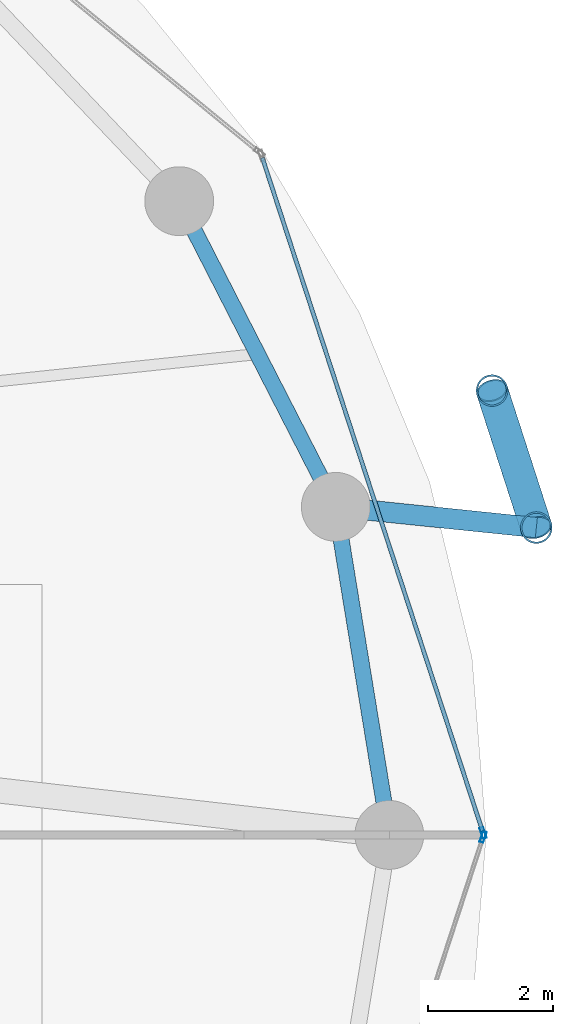
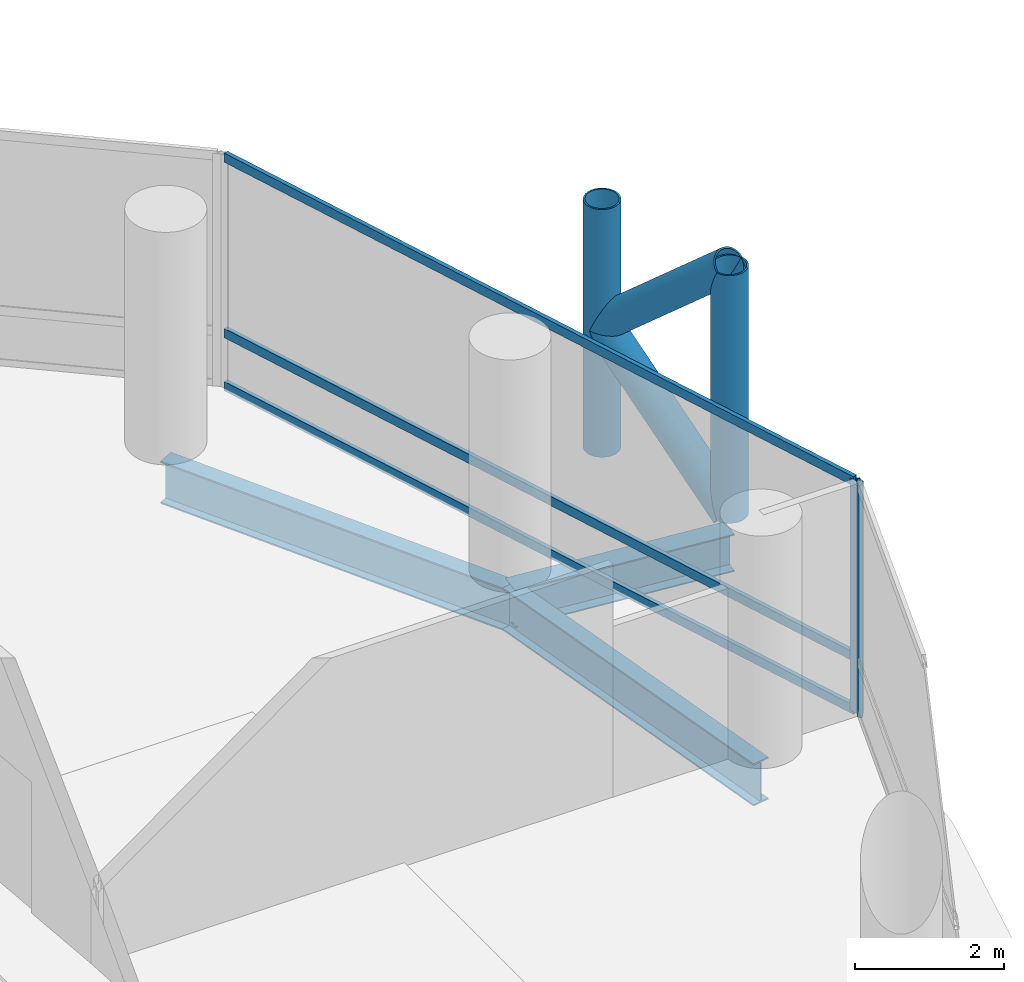
# One storey, part 12 of 24: 9 members, 3 beams, 2 elements without a shape of their own.
"""IFC4 building model written with IfcOpenShell, lengths in metres."""

from ifc_helpers import new_model, si_unit, direction, frame, origin, origin_2d, place, context, subcontext, project, spatial, hollow_rectangle, hollow_circle, i_section, extrude, material, layer, layer_set, material_profile, profile_set, type_object, element, aggregate, save


model = new_model("IFC4")

# Units and contexts
model_context = context("Model", 3, precision=1e-05, world=origin(), true_north=direction((0.0, 1.0)))
body_context = subcontext(model_context, "Body", "Model", "MODEL_VIEW")
ifc_project = project(units=[si_unit("LENGTHUNIT", "METRE"), si_unit("AREAUNIT", "SQUARE_METRE"), si_unit("VOLUMEUNIT", "CUBIC_METRE"), si_unit("PLANEANGLEUNIT", "RADIAN"), si_unit("MASSUNIT", "GRAM", prefix="KILO")], contexts=[model_context])

# Site, building, storey
site_placement = place(None, origin())
site = spatial("IfcSite", under=ifc_project, at=site_placement, CompositionType="ELEMENT")
building_placement = place(site_placement, origin())
building = spatial("IfcBuilding", under=site, at=building_placement, Name="Nuhasar Tower", CompositionType="ELEMENT")
storey_placement = place(building_placement, frame((0.0, 0.0, 85.800048828125)))
storey = spatial("IfcBuildingStorey", under=building, at=storey_placement, Name="L20", CompositionType="ELEMENT", Elevation=85.800048828125)

# Beams
ifc_material_1 = material(Name="Steel S355", Category="steel")
ifc_material_profile_1 = material_profile(ifc_material_1, i_section(OverallWidth=0.256103515625, OverallDepth=0.693115234375, WebThickness=0.014404296875, FlangeThickness=0.023681640625, at=origin_2d()), Name="W27X114")
ifc_profile_set_1 = profile_set([ifc_material_profile_1], Name="Steel S355")
beam_type_1 = type_object("IfcBeamType", Name="BM-RING-W27X114", PredefinedType="SPANDREL", material=ifc_profile_set_1)
beam_1_placement = place(storey_placement, frame((64.050048828125, 26.800048828125, -0.59716796875), z_axis=(-0.160826635486, 0.986982671235, 0.0), x_axis=(-0.986982671235, -0.160826635486, 0.0)))
element("IfcBeam", 1, at=beam_1_placement, inside=storey, type_object=beam_type_1, Name="L20 Perimeter Ring Spandrel 01", PredefinedType="SPANDREL", context=body_context, shape_type="SweptSolid", body=[
    extrude(i_section(OverallWidth=0.256103515625, OverallDepth=0.693115234375, WebThickness=0.014404296875, FlangeThickness=0.023681640625, at=origin_2d()), origin(), (0.0, 0.0, 1.0), 5.31005859375),
])
beam_2_placement = place(storey_placement, frame((63.196044921875, 32.041015625, -0.59716796875), z_axis=(-0.455930023905, 0.890015625314, 0.0), x_axis=(-0.890015625314, -0.455930023905, 0.0)))
element("IfcBeam", 2, at=beam_2_placement, inside=storey, type_object=beam_type_1, Name="L20 Perimeter Ring Spandrel 02", PredefinedType="SPANDREL", context=body_context, shape_type="SweptSolid", body=[
    extrude(i_section(OverallWidth=0.256103515625, OverallDepth=0.693115234375, WebThickness=0.014404296875, FlangeThickness=0.023681640625, at=origin_2d()), origin(), (0.0, 0.0, 1.0), 5.487548828125),
])
ifc_material_profile_2 = material_profile(ifc_material_1, i_section(OverallWidth=0.323974609375, OverallDepth=0.611083984375, WebThickness=0.0126953125, FlangeThickness=0.01904296875, at=origin_2d()), Name="W24X104")
ifc_profile_set_2 = profile_set([ifc_material_profile_2], Name="Steel S355")
beam_type_2 = type_object("IfcBeamType", Name="BM-TIE-W24X104", PredefinedType="BEAM", material=ifc_profile_set_2)
beam_3_placement = place(storey_placement, frame((63.196044921875, 32.041015625, -0.554931640625), z_axis=(0.994703825606, -0.102782777377, 0.0), x_axis=(0.102782777377, 0.994703825606, 0.0)))
element("IfcBeam", 3, at=beam_3_placement, inside=storey, type_object=beam_type_2, Name="L20 Exoskeleton Node Tie Beam 01", PredefinedType="BEAM", context=body_context, shape_type="SweptSolid", body=[
    extrude(i_section(OverallWidth=0.323974609375, OverallDepth=0.611083984375, WebThickness=0.0126953125, FlangeThickness=0.01904296875, at=origin_2d()), origin(), (0.0, 0.0, 1.0), 3.220947265625),
])

# Curtain wall, member
ifc_material_2 = material(Name="Aluminium 6063-T6", Category="aluminium")
ifc_layer = layer(ifc_material_2, 0.199951171875)
ifc_layer_set = layer_set([ifc_layer], Name="Aluminium 6063-T6")
curtain_wall_type = type_object("IfcCurtainWallType", Name="CW-Z1-OFF", PredefinedType="NOTDEFINED", material=ifc_layer_set)
curtain_wall_1_placement = place(storey_placement, origin())
curtain_wall_1 = element("IfcCurtainWall", 4, at=curtain_wall_1_placement, inside=storey, type_object=curtain_wall_type, Name="L20 Unitised Curtain Wall 01", PredefinedType="NOTDEFINED")
ifc_material_profile_3 = material_profile(ifc_material_2, hollow_rectangle(XDim=0.06494140625, YDim=0.179931640625, WallThickness=0.0048828125, at=origin_2d()), Name="CWM-2")
ifc_profile_set_3 = profile_set([ifc_material_profile_3], Name="Aluminium 6063-T6")
member_type_1 = type_object("IfcMemberType", Name="CW-MUL-S2", PredefinedType="MULLION", material=ifc_profile_set_3)
member_1_placement = place(storey_placement, frame((65.5498046875, 26.830810546875, 0.0), z_axis=(0.0, 0.0, 1.0), x_axis=(-0.950467534571, -0.310823849997, 0.0)))
member_1 = element("IfcMember", 5, at=member_1_placement, type_object=member_type_1, Name="CW-Z1 mullion 1", PredefinedType="MULLION", context=body_context, shape_type="SweptSolid", body=[
    extrude(hollow_rectangle(XDim=0.06494140625, YDim=0.179931640625, WallThickness=0.0048828125, at=origin_2d()), origin(), (0.0, 0.0, 1.0), 3.800048828125),
])

curtain_wall_2_placement = place(storey_placement, origin())
curtain_wall_2 = element("IfcCurtainWall", 6, at=curtain_wall_2_placement, inside=storey, type_object=curtain_wall_type, Name="L20 Unitised Curtain Wall 12", PredefinedType="NOTDEFINED")
member_2_placement = place(storey_placement, frame((65.5498046875, 26.76904296875, 0.0), z_axis=(0.0, 0.0, 1.0), x_axis=(-0.950467534571, 0.310823849997, 0.0)))
member_2 = element("IfcMember", 7, at=member_2_placement, type_object=member_type_1, Name="CW-Z1 mullion 2", PredefinedType="MULLION", context=body_context, shape_type="SweptSolid", body=[
    extrude(hollow_rectangle(XDim=0.06494140625, YDim=0.179931640625, WallThickness=0.0048828125, at=origin_2d()), origin(), (0.0, 0.0, 1.0), 3.800048828125),
])
aggregate(curtain_wall_2, [member_2])

# Member
ifc_material_profile_4 = material_profile(ifc_material_2, hollow_rectangle(XDim=0.06494140625, YDim=0.14990234375, WallThickness=0.00439453125, at=origin_2d()), Name="CWT-2")
ifc_profile_set_4 = profile_set([ifc_material_profile_4], Name="Aluminium 6063-T6")
member_type_2 = type_object("IfcMemberType", Name="CW-TRN-S2", PredefinedType="USERDEFINED", material=ifc_profile_set_4)
member_3_placement = place(storey_placement, frame((65.539794921875, 26.86181640625, 0.032470703125), z_axis=(-0.31082506089, 0.950467138581, 0.0), x_axis=(-0.950467138581, -0.31082506089, 0.0)))
member_3 = element("IfcMember", 8, at=member_3_placement, type_object=member_type_2, Name="CW-Z1 transom 1.1", ObjectType="TRANSOM", PredefinedType="USERDEFINED", context=body_context, shape_type="SweptSolid", body=[
    extrude(hollow_rectangle(XDim=0.06494140625, YDim=0.14990234375, WallThickness=0.00439453125, at=origin_2d()), origin(), (0.0, 0.0, 1.0), 11.31689453125),
])

member_4_placement = place(storey_placement, frame((65.539794921875, 26.86181640625, 0.89990234375), z_axis=(-0.31082506089, 0.950467138581, 0.0), x_axis=(-0.950467138581, -0.31082506089, 0.0)))
member_4 = element("IfcMember", 9, at=member_4_placement, type_object=member_type_2, Name="CW-Z1 transom 1.2", ObjectType="TRANSOM", PredefinedType="USERDEFINED", context=body_context, shape_type="SweptSolid", body=[
    extrude(hollow_rectangle(XDim=0.06494140625, YDim=0.14990234375, WallThickness=0.00439453125, at=origin_2d()), origin(), (0.0, 0.0, 1.0), 11.31689453125),
])

member_5_placement = place(storey_placement, frame((65.539794921875, 26.86181640625, 3.767333984375), z_axis=(-0.31082506089, 0.950467138581, 0.0), x_axis=(-0.950467138581, -0.31082506089, 0.0)))
member_5 = element("IfcMember", 10, at=member_5_placement, type_object=member_type_2, Name="CW-Z1 transom 1.3", ObjectType="TRANSOM", PredefinedType="USERDEFINED", context=body_context, shape_type="SweptSolid", body=[
    extrude(hollow_rectangle(XDim=0.06494140625, YDim=0.14990234375, WallThickness=0.00439453125, at=origin_2d()), origin(), (0.0, 0.0, 1.0), 11.31689453125),
])

aggregate(curtain_wall_1, [member_1, member_3, member_4, member_5])

# Members
ifc_material_3 = material(Name="Steel S460", Category="steel")
ifc_material_profile_5 = material_profile(ifc_material_3, hollow_circle(Radius=0.25390625, WallThickness=0.025390625, at=origin_2d()), Name="HSS508X25.4")
ifc_profile_set_5 = profile_set([ifc_material_profile_5], Name="Steel S460")
member_type_3 = type_object("IfcMemberType", Name="EXO-BRONZE-508", PredefinedType="BRACE", material=ifc_profile_set_5)
for number, where, z_axis, x_axis, name in (
    (11, (66.39990234375, 31.7099609375, 0.0), (0.0, 0.0, 1.0), (1.0, 0.0, 0.0), "L20 Exoskeleton Chord Column EC-01A"),
    (12, (65.69189453125, 33.89892578125, 0.0), (0.0, 0.0, 1.0), (1.0, 0.0, 0.0), "L20 Exoskeleton Chord Column EC-01B"),
):
    element("IfcMember", number, at=place(storey_placement, frame(where, z_axis=z_axis, x_axis=x_axis)), inside=storey, type_object=member_type_3, Name=name, PredefinedType="BRACE", context=body_context, shape_type="SweptSolid", body=[
        extrude(hollow_circle(Radius=0.25390625, WallThickness=0.025390625, at=origin_2d()), origin(), (0.0, 0.0, 1.0), 4.050048828125),
    ])
member_6_placement = place(storey_placement, frame((66.39990234375, 31.7099609375, 0.0), z_axis=(-0.231011836313, 0.714224870475, 0.660693851854), x_axis=(-0.951468282519, -0.307746823478, 0.0)))
element("IfcMember", 13, at=member_6_placement, inside=storey, type_object=member_type_3, Name="L20 Bronze Diagrid Brace W1-01", PredefinedType="BRACE", context=body_context, shape_type="SweptSolid", body=[
    extrude(hollow_circle(Radius=0.25390625, WallThickness=0.025390625, at=origin_2d()), origin(), (0.0, 0.0, 1.0), 3.064697265625),
])
member_7_placement = place(storey_placement, frame((65.69189453125, 33.89892578125, 2.02490234375), z_axis=(0.230999678299, -0.714187281251, 0.660738734997), x_axis=(0.951468282519, 0.307746823478, 0.0)))
element("IfcMember", 14, at=member_7_placement, inside=storey, type_object=member_type_3, Name="L20 Bronze Diagrid Brace W2-01", PredefinedType="BRACE", context=body_context, shape_type="SweptSolid", body=[
    extrude(hollow_circle(Radius=0.25390625, WallThickness=0.025390625, at=origin_2d()), origin(), (0.0, 0.0, 1.0), 3.06494140625),
])

save(model, "model.ifc")
